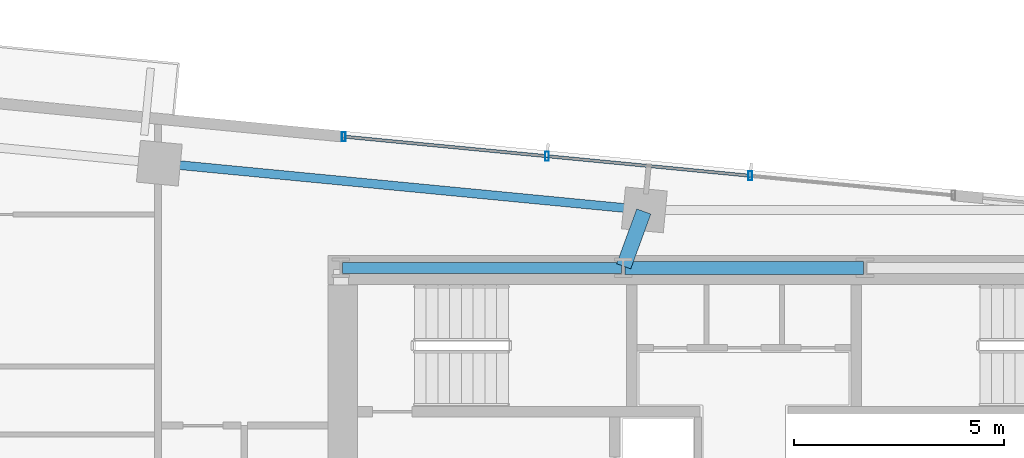
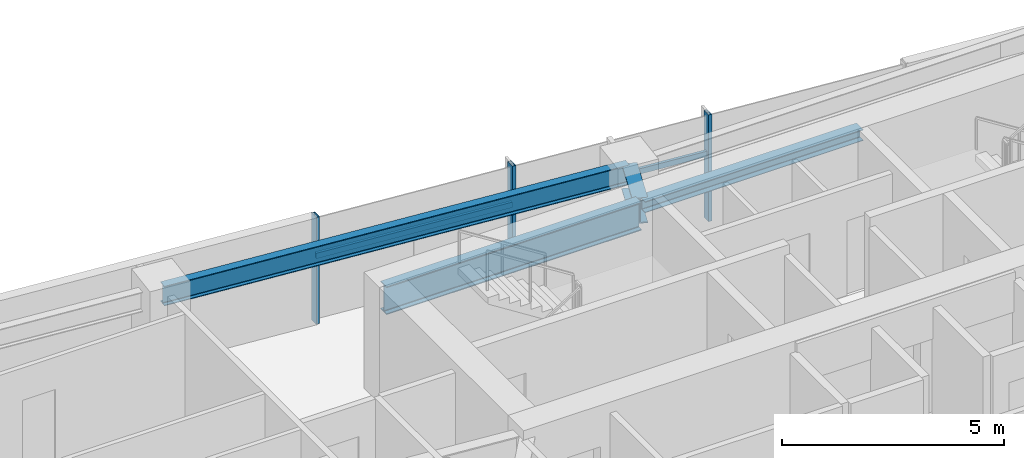
# One storey, part 7 of 19: 5 members, 4 beams, 1 element without a shape of its own.
"""IFC4 building model written with IfcOpenShell, lengths in metres."""

from ifc_helpers import new_model, si_unit, direction, frame, origin, origin_2d, place, context, subcontext, project, spatial, hollow_rectangle, i_section, extrude, source, transform, mapped, material, material_profile, profile_set, type_object, type_shapes, element, aggregate, save


model = new_model("IFC4")

# Units and contexts
model_context = context("Model", 3, precision=1e-05, world=origin(), true_north=direction((0.0, 1.0)))
body_context = subcontext(model_context, "Body", "Model", "MODEL_VIEW")
ifc_project = project(units=[si_unit("LENGTHUNIT", "METRE"), si_unit("AREAUNIT", "SQUARE_METRE"), si_unit("VOLUMEUNIT", "CUBIC_METRE"), si_unit("PLANEANGLEUNIT", "RADIAN"), si_unit("MASSUNIT", "GRAM", prefix="KILO")], contexts=[model_context])

# Site, building, storey
site_placement = place(None, origin())
site = spatial("IfcSite", under=ifc_project, at=site_placement, CompositionType="ELEMENT")
building_placement = place(site_placement, origin())
building = spatial("IfcBuilding", under=site, at=building_placement, Name="Astriad Promenade Condominiums", CompositionType="ELEMENT")
storey_placement = place(building_placement, frame((0.0, 0.0, 124.60009765625)))
storey = spatial("IfcBuildingStorey", under=building, at=storey_placement, Name="L35", CompositionType="ELEMENT", Elevation=124.60009765625)

# Beams
ifc_material_1 = material(Name="Steel ASTM A992 Grade 50", Category="steel")
ifc_material_profile_1 = material_profile(ifc_material_1, i_section(OverallWidth=0.267822265625, OverallDepth=0.76953125, WebThickness=0.015625, FlangeThickness=0.025390625, FilletRadius=0.021484375, at=origin_2d()), Name="W30X132")
ifc_profile_set_1 = profile_set([ifc_material_profile_1], Name="Steel ASTM A992 Grade 50")
beam_type_1 = type_object("IfcBeamType", Name="STEEL FLOOR GIRDER W30X132", PredefinedType="BEAM", material=ifc_profile_set_1)
shared_shape_1 = source(origin(), body_context, "Body", "SweptSolid", [
    extrude(i_section(OverallWidth=0.267822265625, OverallDepth=0.76953125, WebThickness=0.015625, FlangeThickness=0.025390625, FilletRadius=0.021484375, at=origin_2d()), origin(), (0.0, 0.0, 1.0), 6.64013671875),
])
type_shapes(beam_type_1, [shared_shape_1])
beam_1_placement = place(storey_placement, frame((26.43994140625, 24.0, 2.55517578125), z_axis=(1.0, 0.0, 0.0), x_axis=(0.0, 1.0, 0.0)))
element("IfcBeam", 1, at=beam_1_placement, inside=storey, type_object=beam_type_1, Name="Core Ring Beam CG-N1-L35", PredefinedType="BEAM", context=body_context, shape_type="MappedRepresentation", body=[
    mapped(shared_shape_1, transform((0.0, 0.0, 0.0), scale=1.0)),
])
ifc_material_profile_2 = material_profile(ifc_material_1, i_section(OverallWidth=0.3046875, OverallDepth=0.307861328125, WebThickness=0.010009765625, FlangeThickness=0.015380859375, FilletRadius=0.01513671875, at=origin_2d()), Name="W12X65")
ifc_profile_set_2 = profile_set([ifc_material_profile_2], Name="Steel ASTM A992 Grade 50")
beam_type_2 = type_object("IfcBeamType", Name="STEEL OPENING LINTEL W12X65", PredefinedType="LINTEL", material=ifc_profile_set_2)
shared_shape_2 = source(origin(), body_context, "Body", "SweptSolid", [
    extrude(i_section(OverallWidth=0.3046875, OverallDepth=0.307861328125, WebThickness=0.010009765625, FlangeThickness=0.015380859375, FilletRadius=0.01513671875, at=origin_2d()), origin(), (0.0, 0.0, 1.0), 5.68017578125),
])
type_shapes(beam_type_2, [shared_shape_2])
beam_2_placement = place(storey_placement, frame((33.159912109375, 24.0, 2.785888671875), z_axis=(1.0, 0.0, 0.0), x_axis=(0.0, 1.0, 0.0)))
element("IfcBeam", 2, at=beam_2_placement, inside=storey, type_object=beam_type_2, Name="Core Ring Beam CG-N2-L35", PredefinedType="LINTEL", context=body_context, shape_type="MappedRepresentation", body=[
    mapped(shared_shape_2, transform((0.0, 0.0, 0.0), scale=1.0)),
])
ifc_material_profile_3 = material_profile(ifc_material_1, i_section(OverallWidth=0.210693359375, OverallDepth=0.53955078125, WebThickness=0.01171875, FlangeThickness=0.018798828125, FilletRadius=0.0166015625, at=origin_2d()), Name="W21X73")
ifc_profile_set_3 = profile_set([ifc_material_profile_3], Name="Steel ASTM A992 Grade 50")
beam_type_3 = type_object("IfcBeamType", Name="STEEL SPANDREL BEAM W21X73", PredefinedType="SPANDREL", material=ifc_profile_set_3)
shared_shape_3 = source(origin(), body_context, "Body", "SweptSolid", [
    extrude(i_section(OverallWidth=0.210693359375, OverallDepth=0.53955078125, WebThickness=0.01171875, FlangeThickness=0.018798828125, FilletRadius=0.0166015625, at=origin_2d()), origin(), (0.0, 0.0, 1.0), 11.52001953125),
])
type_shapes(beam_type_3, [shared_shape_3])
beam_3_placement = place(storey_placement, frame((33.58642578125, 25.384033203125, 2.670166015625), z_axis=(-0.9953953902, 0.095854145285, 0.0), x_axis=(-0.095854145285, -0.9953953902, 0.0)))
element("IfcBeam", 3, at=beam_3_placement, inside=storey, type_object=beam_type_3, Name="Perimeter Spandrel Beam SP-N2-L35", PredefinedType="SPANDREL", context=body_context, shape_type="MappedRepresentation", body=[
    mapped(shared_shape_3, transform((0.0, 0.0, 0.0), scale=1.0)),
])
ifc_material_profile_4 = material_profile(ifc_material_1, i_section(OverallWidth=0.35791015625, OverallDepth=0.706298828125, WebThickness=0.018310546875, FlangeThickness=0.0302734375, FilletRadius=0.020263671875, at=origin_2d()), Name="W27X178")
ifc_profile_set_4 = profile_set([ifc_material_profile_4], Name="Steel ASTM A992 Grade 50")
beam_type_4 = type_object("IfcBeamType", Name="STEEL FLOOR GIRDER W27X178", PredefinedType="BEAM", material=ifc_profile_set_4)
shared_shape_4 = source(origin(), body_context, "Body", "SweptSolid", [
    extrude(i_section(OverallWidth=0.35791015625, OverallDepth=0.706298828125, WebThickness=0.018310546875, FlangeThickness=0.0302734375, FilletRadius=0.020263671875, at=origin_2d()), origin(), (0.0, 0.0, 1.0), 1.39013671875),
])
type_shapes(beam_type_4, [shared_shape_4])
beam_4_placement = place(storey_placement, frame((33.6123046875, 25.3427734375, 2.586669921875), z_axis=(-0.344223686797, -0.938887668173, 0.0), x_axis=(0.938887668173, -0.344223686797, 0.0)))
element("IfcBeam", 4, at=beam_4_placement, inside=storey, type_object=beam_type_4, Name="Primary Floor Girder PG-NC-L35", PredefinedType="BEAM", context=body_context, shape_type="MappedRepresentation", body=[
    mapped(shared_shape_4, transform((0.0, 0.0, 0.0), scale=1.0)),
])

# Curtain wall, members
ifc_material_2 = material(Name="Anodised aluminium Black Dark Glass Unitised", Category="aluminium")
curtain_wall_type = type_object("IfcCurtainWallType", Name="CW-B34-DARK", PredefinedType="USERDEFINED", material=ifc_material_2)
curtain_wall_placement = place(storey_placement, origin())
curtain_wall = element("IfcCurtainWall", 5, at=curtain_wall_placement, inside=storey, type_object=curtain_wall_type, Name="CW-L35-N", ObjectType="UNITISED_CURTAIN_WALL", PredefinedType="USERDEFINED")
ifc_material_3 = material(Name="Anodised aluminium 6063-T6 Black", Category="aluminium")
ifc_material_profile_5 = material_profile(ifc_material_3, hollow_rectangle(XDim=0.0849609375, YDim=0.219970703125, WallThickness=0.0048828125, at=origin_2d()), Name="ALU-MUL-85X220")
ifc_profile_set_5 = profile_set([ifc_material_profile_5], Name="Anodised aluminium 6063-T6 Black")
member_type_1 = type_object("IfcMemberType", Name="MUL-ALU-MUL-85X220", PredefinedType="MULLION", material=ifc_profile_set_5)
shared_shape_5 = source(origin(), body_context, "Body", "SweptSolid", [
    extrude(hollow_rectangle(XDim=0.0849609375, YDim=0.219970703125, WallThickness=0.0048828125, at=origin_2d()), origin(), (0.0, 0.0, 1.0), 2.93994140625),
])
type_shapes(member_type_1, [shared_shape_5])
member_1_placement = place(storey_placement, frame((26.470458984375, 27.124267578125, 0.0), z_axis=(0.0, 0.0, 1.0), x_axis=(1.0, 0.0, 0.0)))
member_1 = element("IfcMember", 6, at=member_1_placement, type_object=member_type_1, Name="CW-L35-N-MUL-00", PredefinedType="MULLION", context=body_context, shape_type="MappedRepresentation", body=[
    mapped(shared_shape_5, transform((0.0, 0.0, 0.0), scale=1.0)),
])
member_2_placement = place(storey_placement, frame((31.30810546875, 26.658447265625, 0.0), z_axis=(0.0, 0.0, 1.0), x_axis=(1.0, 0.0, 0.0)))
member_2 = element("IfcMember", 7, at=member_2_placement, type_object=member_type_1, Name="CW-L35-N-MUL-01", PredefinedType="MULLION", context=body_context, shape_type="MappedRepresentation", body=[
    mapped(shared_shape_5, transform((0.0, 0.0, 0.0), scale=1.0)),
])
member_3_placement = place(storey_placement, frame((36.145751953125, 26.1923828125, 0.0), z_axis=(0.0, 0.0, 1.0), x_axis=(1.0, 0.0, 0.0)))
member_3 = element("IfcMember", 8, at=member_3_placement, type_object=member_type_1, Name="CW-L35-N-MUL-02", PredefinedType="MULLION", context=body_context, shape_type="MappedRepresentation", body=[
    mapped(shared_shape_5, transform((0.0, 0.0, 0.0), scale=1.0)),
])
ifc_material_profile_6 = material_profile(ifc_material_3, hollow_rectangle(XDim=0.074951171875, YDim=0.14990234375, WallThickness=0.004150390625, at=origin_2d()), Name="ALU-TRN-75X150")
ifc_profile_set_6 = profile_set([ifc_material_profile_6], Name="Anodised aluminium 6063-T6 Black")
member_type_2 = type_object("IfcMemberType", Name="TRN-ALU-TRN-75X150", PredefinedType="USERDEFINED", material=ifc_profile_set_6)
shared_shape_6 = source(origin(), body_context, "Body", "SweptSolid", [
    extrude(hollow_rectangle(XDim=0.074951171875, YDim=0.14990234375, WallThickness=0.004150390625, at=origin_2d()), origin(), (0.0, 0.0, 1.0), 4.860107421875),
])
type_shapes(member_type_2, [shared_shape_6])
member_4_placement = place(storey_placement, frame((26.470458984375, 27.124267578125, 1.82275390625), z_axis=(0.995396042559, -0.095847370639, 0.0), x_axis=(0.095847370639, 0.995396042559, 0.0)))
member_4 = element("IfcMember", 9, at=member_4_placement, type_object=member_type_2, Name="CW-L35-N-TRN-00-0", ObjectType="TRANSOM", PredefinedType="USERDEFINED", context=body_context, shape_type="MappedRepresentation", body=[
    mapped(shared_shape_6, transform((0.0, 0.0, 0.0), scale=1.0)),
])
member_5_placement = place(storey_placement, frame((31.30810546875, 26.658447265625, 1.82275390625), z_axis=(0.995391248663, -0.09589714326, 0.0), x_axis=(0.09589714326, 0.995391248663, 0.0)))
member_5 = element("IfcMember", 10, at=member_5_placement, type_object=member_type_2, Name="CW-L35-N-TRN-01-0", ObjectType="TRANSOM", PredefinedType="USERDEFINED", context=body_context, shape_type="MappedRepresentation", body=[
    mapped(shared_shape_6, transform((0.0, 0.0, 0.0), scale=1.0)),
])
aggregate(curtain_wall, [member_1, member_2, member_3, member_4, member_5])

save(model, "model.ifc")
